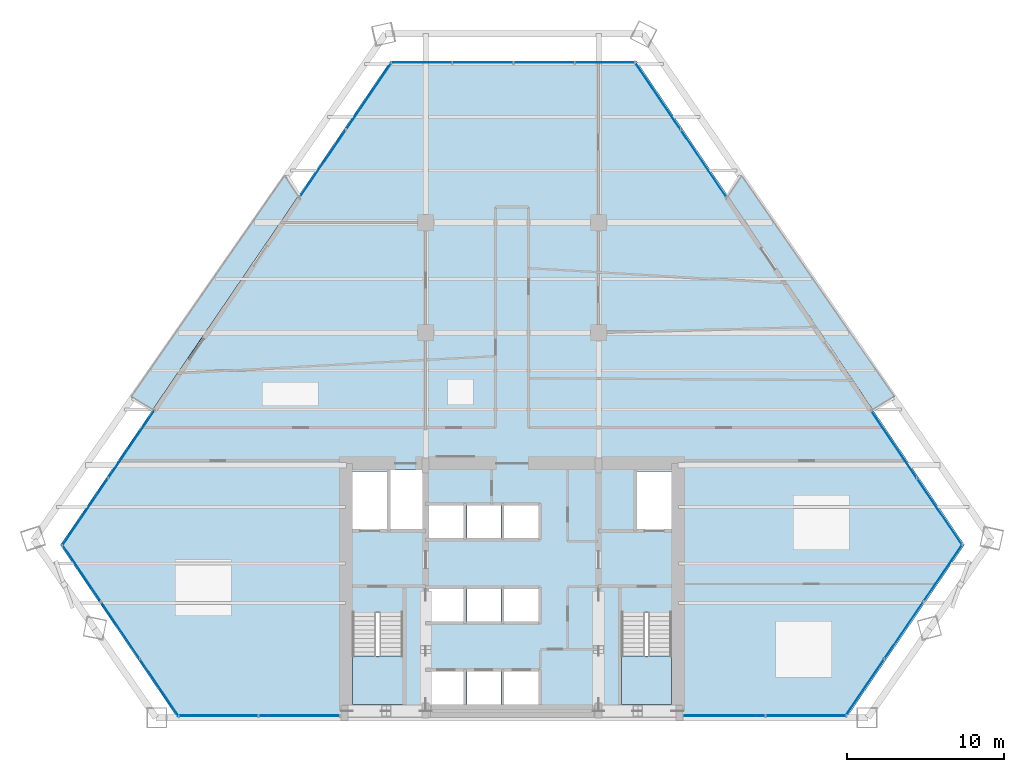
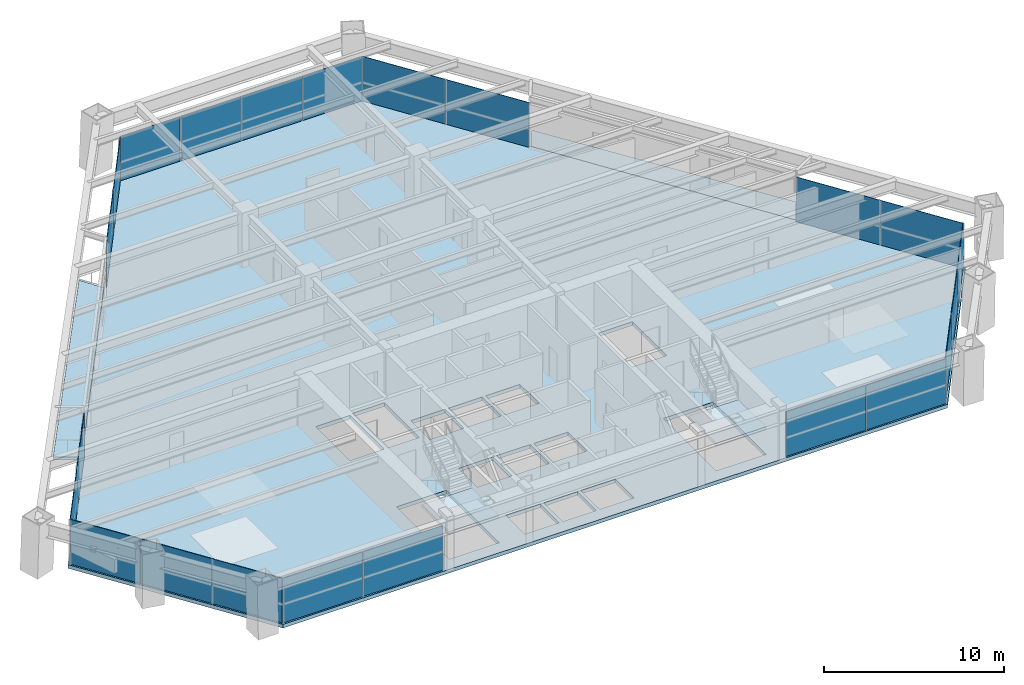
# One storey, part 9 of 14: 22 plates, 5 slabs, 11 elements without a shape of their own.
"""IFC4 building model written with IfcOpenShell, lengths in metres."""

import ifcopenshell
import ifcopenshell.guid

model = None  # the IFC model being written
_history = None  # IfcOwnerHistory: only IFC2X3 demands one
_inside = {}  # id of a spatial element -> (the spatial element, [elements in it])
_under = {}  # id of a project, library or spatial element -> (it, [spatial elements below it])
_declared = {}  # id of a project -> (the project, [libraries it declares])
_typed = {}  # id of a type object -> (the type object, [elements of that type])
_made_of = {}  # id of a material, layer set ... -> (it, [elements and type objects made of it])


def new_model(schema):
    """Start an empty IFC model of exactly this schema.

    Asked for "IFC4X3", IfcOpenShell would pick the latest addendum, in which some entities
    have other attributes; the version numbers below select the first issue.
    IFC2X3 requires an IfcOwnerHistory on every rooted entity: one is made here for all.
    """
    global model, _history
    if schema == "IFC4X3":
        model = ifcopenshell.file(schema_version=(4, 3, 0, 0))
    else:
        model = ifcopenshell.file(schema=schema)
    _inside.clear()
    _under.clear()
    _declared.clear()
    _typed.clear()
    _made_of.clear()
    _history = None
    if model.schema == "IFC2X3":
        org = make("IfcOrganization", Name="unknown")
        user = make(
            "IfcPersonAndOrganization",
            ThePerson=make("IfcPerson", FamilyName="unknown"),
            TheOrganization=org,
        )
        app = make(
            "IfcApplication",
            ApplicationDeveloper=org,
            Version="unknown",
            ApplicationFullName="unknown",
            ApplicationIdentifier="unknown",
        )
        _history = make(
            "IfcOwnerHistory",
            OwningUser=user,
            OwningApplication=app,
            ChangeAction="ADDED",
            CreationDate=0,
        )
    return model


def make(cls, **values):
    """One entity of the class cls with the attributes given. An attribute that is None is left unset."""
    return model.create_entity(
        cls, **{name: value for name, value in values.items() if value is not None}
    )


def rooted(cls, **values):
    """An entity with a GlobalId (a new one), such as an element, a storey or a relation."""
    return make(cls, GlobalId=ifcopenshell.guid.new(), OwnerHistory=_history, **values)


def si_unit(unit_type, name, prefix=None):
    """IfcSIUnit, for example si_unit("LENGTHUNIT", "METRE", prefix="MILLI")."""
    return make("IfcSIUnit", UnitType=unit_type, Prefix=prefix, Name=name)


def assignment(units):
    """IfcUnitAssignment: the units of a project."""
    return None if units is None else make("IfcUnitAssignment", Units=units)


def point(xyz):
    """IfcCartesianPoint."""
    return None if xyz is None else make("IfcCartesianPoint", Coordinates=xyz)


def direction(xyz):
    """IfcDirection."""
    return None if xyz is None else make("IfcDirection", DirectionRatios=xyz)


def frame(location, z_axis=None, x_axis=None):
    """IfcAxis2Placement3D, a coordinate frame: its origin and axes. An axis left out is left unset."""
    return make(
        "IfcAxis2Placement3D",
        Location=point(location),
        Axis=direction(z_axis),
        RefDirection=direction(x_axis),
    )


def frame_2d(location, x_axis=None):
    """IfcAxis2Placement2D, a coordinate frame in the plane: its origin and x axis."""
    return make(
        "IfcAxis2Placement2D", Location=point(location), RefDirection=direction(x_axis)
    )


def origin():
    """The frame at (0, 0, 0) with its axes left unset."""
    return frame((0.0, 0.0, 0.0))


def origin_2d():
    """The frame at (0, 0) in the plane with its x axis left unset."""
    return frame_2d((0.0, 0.0))


def place(relative_to, where):
    """IfcLocalPlacement: puts the frame where relative to a parent placement (None: the world)."""
    return make(
        "IfcLocalPlacement", PlacementRelTo=relative_to, RelativePlacement=where
    )


def context(
    kind, dimensions, precision=None, world=None, true_north=None, identifier=None
):
    """IfcGeometricRepresentationContext, for example the 3D "Model" context."""
    return make(
        "IfcGeometricRepresentationContext",
        ContextIdentifier=identifier,
        ContextType=kind,
        CoordinateSpaceDimension=dimensions,
        Precision=precision,
        WorldCoordinateSystem=world,
        TrueNorth=true_north,
    )


def subcontext(parent, identifier, kind, view, scale=None):
    """IfcGeometricRepresentationSubContext, for example "Body" below "Model"."""
    return make(
        "IfcGeometricRepresentationSubContext",
        ContextIdentifier=identifier,
        ContextType=kind,
        ParentContext=parent,
        TargetScale=scale,
        TargetView=view,
    )


def project(units=None, contexts=None):
    """IfcProject with its units and contexts."""
    return rooted(
        "IfcProject",
        Name="project",
        RepresentationContexts=contexts,
        UnitsInContext=assignment(units),
    )


def spatial(cls, under=None, at=None, **own):
    """A site, building, storey or space (cls), placed at a placement, below another one or the project."""
    s = rooted(cls, ObjectPlacement=at, **own)
    if under is not None:
        _under.setdefault(under.id(), (under, []))[1].append(s)
    return s


def polyline(points):
    """IfcPolyline through the points."""
    return make("IfcPolyline", Points=[point(p) for p in points])


def profile(cls, at=None, kind="AREA", **sizes):
    """A parametric profile (cls). Its sizes go by their IFC names, for example OverallWidth=200.0."""
    return make(cls, ProfileType=kind, Position=at, **sizes)


def rectangle(**sizes):
    """IfcRectangleProfileDef."""
    return profile("IfcRectangleProfileDef", **sizes)


def outline(outer, holes=None, kind="AREA"):
    """IfcArbitraryClosedProfileDef: a profile drawn as a closed curve; with holes, ...WithVoids."""
    if holes is None:
        return make("IfcArbitraryClosedProfileDef", ProfileType=kind, OuterCurve=outer)
    return make(
        "IfcArbitraryProfileDefWithVoids",
        ProfileType=kind,
        OuterCurve=outer,
        InnerCurves=holes,
    )


def extrude(swept, where, along, depth):
    """IfcExtrudedAreaSolid: the profile swept, set in the frame where, extruded along a direction by depth."""
    return make(
        "IfcExtrudedAreaSolid",
        SweptArea=swept,
        Position=where,
        ExtrudedDirection=direction(along),
        Depth=depth,
    )


def shape(context_of_items, identifier, shape_type, items):
    """IfcShapeRepresentation: the items that make up one representation, for example the "Body"."""
    return make(
        "IfcShapeRepresentation",
        ContextOfItems=context_of_items,
        RepresentationIdentifier=identifier,
        RepresentationType=shape_type,
        Items=items,
    )


def source(mapping_origin, context_of_items, identifier, shape_type, items):
    """IfcRepresentationMap: a shape defined once, which mapped items show again and again."""
    return make(
        "IfcRepresentationMap",
        MappingOrigin=mapping_origin,
        MappedRepresentation=shape(context_of_items, identifier, shape_type, items),
    )


def transform(
    local_origin,
    x_axis=None,
    y_axis=None,
    z_axis=None,
    scale=None,
    scale2=None,
    scale3=None,
    uniform=True,
):
    """IfcCartesianTransformationOperator3D, or its non-uniform kind. x_axis, y_axis, z_axis: its Axis1, 2, 3."""
    if uniform:
        return make(
            "IfcCartesianTransformationOperator3D",
            Axis1=direction(x_axis),
            Axis2=direction(y_axis),
            LocalOrigin=point(local_origin),
            Scale=scale,
            Axis3=direction(z_axis),
        )
    return make(
        "IfcCartesianTransformationOperator3DnonUniform",
        Axis1=direction(x_axis),
        Axis2=direction(y_axis),
        LocalOrigin=point(local_origin),
        Scale=scale,
        Axis3=direction(z_axis),
        Scale2=scale2,
        Scale3=scale3,
    )


def mapped(mapping_source, mapping_target):
    """IfcMappedItem: shows the shape of a source again, moved by a transform."""
    return make(
        "IfcMappedItem", MappingSource=mapping_source, MappingTarget=mapping_target
    )


def material(Name=None, Category=None):
    """IfcMaterial."""
    return make("IfcMaterial", Name=Name, Category=Category)


def layer(
    of_material, thickness, ventilated=None, Name=None, Category=None, Priority=None
):
    """IfcMaterialLayer: one layer of a wall or slab, of a material (None: an air gap)."""
    return make(
        "IfcMaterialLayer",
        Material=of_material,
        LayerThickness=thickness,
        IsVentilated=ventilated,
        Name=Name,
        Category=Category,
        Priority=Priority,
    )


def layer_set(layers, Name=None):
    """IfcMaterialLayerSet."""
    return make("IfcMaterialLayerSet", MaterialLayers=layers, LayerSetName=Name)


def made_of(thing, what):
    """Note that an element or type object is made of a material, layer set ...; save() writes the relation."""
    if what is not None:
        _made_of.setdefault(what.id(), (what, []))[1].append(thing)
    return thing


def type_object(cls, material=None, **own):
    """A type object (cls), such as IfcWallType, which elements share."""
    return made_of(rooted(cls, **own), material)


def element(
    cls,
    number,
    at=None,
    inside=None,
    cuts=None,
    type_object=None,
    material=None,
    context=None,
    identifier="Body",
    shape_type=None,
    held_by="IfcProductDefinitionShape",
    body=None,
    shapes=None,
    **own,
):
    """One element of the class cls, such as IfcWall. Its Tag is "e" and its number.

    at: its placement. inside: the storey or other place that contains it. cuts: it is an
    opening in that element (IfcRelVoidsElement). A single representation is given by context,
    identifier, shape_type and body (its items); several are given by shapes. held_by: the class
    of the entity that holds the representations. save() writes the other relations.
    """
    e = rooted(cls, Tag="e%d" % number, ObjectPlacement=at, **own)
    if body is not None:
        shapes = [shape(context, identifier, shape_type, body)]
    if shapes is not None:
        e.Representation = make(held_by, Representations=shapes)
    if inside is not None:
        _inside.setdefault(inside.id(), (inside, []))[1].append(e)
    if cuts is not None:
        rooted(
            "IfcRelVoidsElement", RelatingBuildingElement=cuts, RelatedOpeningElement=e
        )
    if type_object is not None:
        _typed.setdefault(type_object.id(), (type_object, []))[1].append(e)
    return made_of(e, material)


def aggregate(whole, parts):
    """IfcRelAggregates: a whole, such as a stair, and the parts it consists of."""
    return rooted("IfcRelAggregates", RelatingObject=whole, RelatedObjects=parts)


def save(model, path):
    """Write the relations noted so far, then the file.

    IfcRelAggregates (storeys below a building ...), IfcRelContainedInSpatialStructure (elements
    in a storey), IfcRelDefinesByType, IfcRelAssociatesMaterial and IfcRelDeclares: one each for
    every whole, place, type object, material and project.
    """
    for whole, parts in _under.values():
        aggregate(whole, parts)
    for where, things in _inside.values():
        rooted(
            "IfcRelContainedInSpatialStructure",
            RelatedElements=things,
            RelatingStructure=where,
        )
    for kind, things in _typed.values():
        rooted("IfcRelDefinesByType", RelatedObjects=things, RelatingType=kind)
    for what, things in _made_of.values():
        rooted("IfcRelAssociatesMaterial", RelatedObjects=things, RelatingMaterial=what)
    for by, libraries in _declared.values():
        rooted("IfcRelDeclares", RelatingContext=by, RelatedDefinitions=libraries)
    model.write(path)


model = new_model("IFC4")

# Units and contexts
model_context = context("Model", 3, precision=1e-05, world=origin(), true_north=direction((0.0, 1.0)))
body_context = subcontext(model_context, "Body", "Model", "MODEL_VIEW")
ifc_project = project(units=[si_unit("LENGTHUNIT", "METRE"), si_unit("AREAUNIT", "SQUARE_METRE"), si_unit("VOLUMEUNIT", "CUBIC_METRE"), si_unit("PLANEANGLEUNIT", "RADIAN"), si_unit("MASSUNIT", "GRAM", prefix="KILO")], contexts=[model_context])

# Site, building, storey
site_placement = place(None, origin())
site = spatial("IfcSite", under=ifc_project, at=site_placement, CompositionType="ELEMENT")
building_placement = place(site_placement, origin())
building = spatial("IfcBuilding", under=site, at=building_placement, Name="Varnakhor Terracotta Tower", CompositionType="ELEMENT")
storey_placement = place(building_placement, frame((0.0, 0.0, 34.89990234375)))
storey = spatial("IfcBuildingStorey", under=building, at=storey_placement, Name="L07", CompositionType="ELEMENT", Elevation=34.89990234375)

# Stair, slab
ifc_material_1 = material(Name="Concrete C40/50", Category="concrete")
stair_type = type_object("IfcStairType", Name="STR-CORE-OFFICE-1500", PredefinedType="HALF_TURN_STAIR", material=ifc_material_1)
stair_1_placement = place(storey_placement, origin())
stair_1 = element("IfcStair", 1, at=stair_1_placement, inside=storey, type_object=stair_type, Name="L07 Core Exit Stair ST-1", PredefinedType="HALF_TURN_STAIR")
ifc_layer_1 = layer(ifc_material_1, 0.179931640625, Name="Concrete C40/50")
ifc_layer_set_1 = layer_set([ifc_layer_1], Name="Concrete C40/50")
slab_type_1 = type_object("IfcSlabType", Name="SLB-LANDING-180", PredefinedType="LANDING", material=ifc_layer_set_1)
slab_1_placement = place(storey_placement, frame((0.0, 0.0, 1.650146484375)))
slab_1 = element("IfcSlab", 2, at=slab_1_placement, type_object=slab_type_1, Name="ST-1 landing 1", PredefinedType="LANDING", context=body_context, shape_type="SweptSolid", body=[
    extrude(outline(polyline([(-10.14990234375, 3.909912109375), (-10.14990234375, 0.85009765625), (-6.949951171875, 0.85009765625), (-6.949951171875, 3.909912109375), (-10.14990234375, 3.909912109375)])), origin(), (0.0, 0.0, 1.0), 0.199951171875),
])
aggregate(stair_1, [slab_1])

stair_2_placement = place(storey_placement, origin())
stair_2 = element("IfcStair", 3, at=stair_2_placement, inside=storey, type_object=stair_type, Name="L07 Core Exit Stair ST-2", PredefinedType="HALF_TURN_STAIR")
slab_2_placement = place(storey_placement, frame((0.0, 0.0, 1.650146484375)))
slab_2 = element("IfcSlab", 4, at=slab_2_placement, type_object=slab_type_1, Name="ST-2 landing 1", PredefinedType="LANDING", context=body_context, shape_type="SweptSolid", body=[
    extrude(outline(polyline([(6.949951171875, 3.909912109375), (6.949951171875, 0.85009765625), (10.14990234375, 0.85009765625), (10.14990234375, 3.909912109375), (6.949951171875, 3.909912109375)])), origin(), (0.0, 0.0, 1.0), 0.199951171875),
])
aggregate(stair_2, [slab_2])

# Slabs
ifc_layer_2 = layer(ifc_material_1, 0.195068359375, Name="Concrete C40/50")
ifc_layer_set_2 = layer_set([ifc_layer_2], Name="Concrete C40/50")
slab_type_2 = type_object("IfcSlabType", Name="SLB-LOGGIA-EXT-195", PredefinedType="FLOOR", material=ifc_layer_set_2)
slab_3_placement = place(storey_placement, frame((0.0, 0.0, -0.19482421875)))
element("IfcSlab", 5, at=slab_3_placement, inside=storey, type_object=slab_type_2, Name="L07 E Recessed Outdoor Loggia Slab", PredefinedType="FLOOR", context=body_context, shape_type="SweptSolid", body=[
    extrude(outline(polyline([(14.5751953125, 34.506591796875), (24.320068359375, 20.408203125), (22.929931640625, 19.61669921875), (19.443359375, 24.7607421875), (13.74462890625, 33.168212890625), (14.5751953125, 34.506591796875)])), origin(), (0.0, 0.0, 1.0), 0.19482421875),
])
slab_4_placement = place(storey_placement, frame((0.0, 0.0, -0.19482421875)))
element("IfcSlab", 6, at=slab_4_placement, inside=storey, type_object=slab_type_2, Name="L07 W Recessed Outdoor Loggia Slab", PredefinedType="FLOOR", context=body_context, shape_type="SweptSolid", body=[
    extrude(outline(polyline([(-24.24609375, 20.39794921875), (-14.44091796875, 34.50244140625), (-13.610107421875, 33.164306640625), (-22.855712890625, 19.606689453125), (-24.24609375, 20.39794921875)])), origin(), (0.0, 0.0, 1.0), 0.19482421875),
])
ifc_layer_3 = layer(ifc_material_1, 0.25, Name="Concrete C40/50")
ifc_layer_set_3 = layer_set([ifc_layer_3], Name="Concrete C40/50")
slab_type_3 = type_object("IfcSlabType", Name="SLB-OFF-250", PredefinedType="FLOOR", material=ifc_layer_set_3)
slab_5_placement = place(storey_placement, frame((0.0, 0.0, -0.25)))
element("IfcSlab", 7, at=slab_5_placement, inside=storey, type_object=slab_type_3, Name="L07 Structural Floor Slab", PredefinedType="FLOOR", context=body_context, shape_type="SweptSolid", body=[
    extrude(outline(polyline([(-28.739013671875, 10.979248046875), (-7.726806640625, 41.791748046875), (7.8994140625, 41.791748046875), (28.775390625, 10.992919921875), (21.27880859375, 0.0), (-21.297119140625, 0.0), (-28.739013671875, 10.979248046875)]), holes=[polyline([(-3.10009765625, 0.85009765625), (-3.10009765625, 2.949951171875), (-5.300048828125, 2.949951171875), (-5.300048828125, 0.85009765625), (-3.10009765625, 0.85009765625)]), polyline([(-2.8798828125, 0.85009765625), (-0.719970703125, 0.85009765625), (-0.719970703125, 2.949951171875), (-2.8798828125, 2.949951171875), (-2.8798828125, 0.85009765625)]), polyline([(-10.14990234375, 0.85009765625), (-6.949951171875, 0.85009765625), (-6.949951171875, 6.695068359375), (-10.14990234375, 6.695068359375), (-10.14990234375, 0.85009765625)]), polyline([(-5.300048828125, 6.10009765625), (-3.10009765625, 6.10009765625), (-3.10009765625, 8.199951171875), (-5.300048828125, 8.199951171875), (-5.300048828125, 6.10009765625)]), polyline([(-5.300048828125, 11.419921875), (-3.10009765625, 11.419921875), (-3.10009765625, 13.52001953125), (-5.300048828125, 13.52001953125), (-5.300048828125, 11.419921875)]), polyline([(-10.14990234375, 11.8798828125), (-7.949951171875, 11.8798828125), (-7.949951171875, 15.64990234375), (-10.14990234375, 15.64990234375), (-10.14990234375, 11.8798828125)]), polyline([(-7.72998046875, 11.8798828125), (-5.699951171875, 11.8798828125), (-5.699951171875, 15.75), (-7.72998046875, 15.75), (-7.72998046875, 11.8798828125)]), polyline([(1.699951171875, 0.85009765625), (1.699951171875, 2.949951171875), (-0.5, 2.949951171875), (-0.5, 0.85009765625), (1.699951171875, 0.85009765625)]), polyline([(6.949951171875, 0.85009765625), (10.14990234375, 0.85009765625), (10.14990234375, 6.695068359375), (6.949951171875, 6.695068359375), (6.949951171875, 0.85009765625)]), polyline([(-2.8798828125, 6.10009765625), (-0.719970703125, 6.10009765625), (-0.719970703125, 8.199951171875), (-2.8798828125, 8.199951171875), (-2.8798828125, 6.10009765625)]), polyline([(-0.5, 6.10009765625), (1.699951171875, 6.10009765625), (1.699951171875, 8.199951171875), (-0.5, 8.199951171875), (-0.5, 6.10009765625)]), polyline([(-2.8798828125, 11.419921875), (-0.719970703125, 11.419921875), (-0.719970703125, 13.52001953125), (-2.8798828125, 13.52001953125), (-2.8798828125, 11.419921875)]), polyline([(-0.5, 11.419921875), (1.699951171875, 11.419921875), (1.699951171875, 13.52001953125), (-0.5, 13.52001953125), (-0.5, 11.419921875)]), polyline([(7.949951171875, 11.8798828125), (10.14990234375, 11.8798828125), (10.14990234375, 15.64990234375), (7.949951171875, 15.64990234375), (7.949951171875, 11.8798828125)])]), origin(), (0.0, 0.0, 1.0), 0.25),
])

# Curtain wall, plate
ifc_material_2 = material(Name="Anodised Aluminium Curtain Wall System", Category="aluminium")
curtain_wall_type = type_object("IfcCurtainWallType", Name="CW-SYS-LOW-OFFICE", PredefinedType="NOTDEFINED", material=ifc_material_2)
curtain_wall_1_placement = place(storey_placement, origin())
curtain_wall_1 = element("IfcCurtainWall", 8, at=curtain_wall_1_placement, inside=storey, type_object=curtain_wall_type, Name="L07 South Wing Curtain Wall SSW", PredefinedType="NOTDEFINED")
ifc_material_3 = material(Name="Solar-Control Low-E Insulated Glass Panel", Category="glass")
ifc_layer_4 = layer(ifc_material_3, 0.0380859375, Name="Solar-Control Low-E Insulated Glass Panel")
ifc_layer_set_4 = layer_set([ifc_layer_4], Name="Solar-Control Low-E Insulated Glass Panel")
plate_type = type_object("IfcPlateType", Name="CWP-02", PredefinedType="CURTAIN_PANEL", material=ifc_layer_set_4)
shared_shape_1 = source(origin(), body_context, "Body", "SweptSolid", [
    extrude(rectangle(XDim=5.11865234375, YDim=0.035888671875, at=origin_2d()), origin(), (0.0, 0.0, 1.0), 3.030029296875),
])
plate_1_placement = place(storey_placement, frame((-13.54931640625, 0.1201171875, 0.0), z_axis=(0.0, 0.0, 1.0), x_axis=(-1.0, 0.0, 0.0)))
plate_1 = element("IfcPlate", 9, at=plate_1_placement, type_object=plate_type, Name="L07 South Wing Curtain Wall SSW Glazed Panel 1", PredefinedType="CURTAIN_PANEL", context=body_context, shape_type="MappedRepresentation", body=[
    mapped(shared_shape_1, transform((0.0, 0.0, 0.0), scale=1.0)),
])

# Curtain wall, plates
curtain_wall_2_placement = place(storey_placement, origin())
curtain_wall_2 = element("IfcCurtainWall", 10, at=curtain_wall_2_placement, inside=storey, type_object=curtain_wall_type, Name="L07 W Facet Curtain Wall 1", PredefinedType="NOTDEFINED")
shared_shape_2 = source(origin(), body_context, "Body", "SweptSolid", [
    extrude(rectangle(XDim=5.1513671875, YDim=0.035888671875, at=origin_2d()), origin(), (0.0, 0.0, 1.0), 3.030029296875),
])
plate_2_placement = place(storey_placement, frame((-27.16064453125, 13.0810546875, 0.0), z_axis=(0.0, 0.0, 1.0), x_axis=(0.563410698363, 0.826176969523, 0.0)))
plate_2 = element("IfcPlate", 11, at=plate_2_placement, type_object=plate_type, Name="L07 W Facet Curtain Wall 1 Glazed Panel 1", PredefinedType="CURTAIN_PANEL", context=body_context, shape_type="MappedRepresentation", body=[
    mapped(shared_shape_2, transform((0.0, 0.0, 0.0), scale=1.0)),
])
plate_3_placement = place(storey_placement, frame((-24.23583984375, 17.369873046875, 0.0), z_axis=(0.0, 0.0, 1.0), x_axis=(0.563410698363, 0.826176969523, 0.0)))
plate_3 = element("IfcPlate", 12, at=plate_3_placement, type_object=plate_type, Name="L07 W Facet Curtain Wall 1 Glazed Panel 2", PredefinedType="CURTAIN_PANEL", context=body_context, shape_type="MappedRepresentation", body=[
    mapped(shared_shape_2, transform((0.0, 0.0, 0.0), scale=1.0)),
])
aggregate(curtain_wall_2, [plate_2, plate_3])

curtain_wall_3_placement = place(storey_placement, origin())
curtain_wall_3 = element("IfcCurtainWall", 13, at=curtain_wall_3_placement, inside=storey, type_object=curtain_wall_type, Name="L07 W Facet Curtain Wall 2", PredefinedType="NOTDEFINED")
plate_4_placement = place(storey_placement, frame((-12.03173828125, 35.26611328125, 0.0), z_axis=(0.0, 0.0, 1.0), x_axis=(0.563410698363, 0.826176969523, 0.0)))
plate_4 = element("IfcPlate", 14, at=plate_4_placement, type_object=plate_type, Name="L07 W Facet Curtain Wall 2 Glazed Panel 1", PredefinedType="CURTAIN_PANEL", context=body_context, shape_type="MappedRepresentation", body=[
    mapped(shared_shape_2, transform((0.0, 0.0, 0.0), scale=1.0)),
])
plate_5_placement = place(storey_placement, frame((-9.10693359375, 39.554931640625, 0.0), z_axis=(0.0, 0.0, 1.0), x_axis=(0.563410698363, 0.826176969523, 0.0)))
plate_5 = element("IfcPlate", 15, at=plate_5_placement, type_object=plate_type, Name="L07 W Facet Curtain Wall 2 Glazed Panel 2", PredefinedType="CURTAIN_PANEL", context=body_context, shape_type="MappedRepresentation", body=[
    mapped(shared_shape_2, transform((0.0, 0.0, 0.0), scale=1.0)),
])
aggregate(curtain_wall_3, [plate_4, plate_5])

curtain_wall_4_placement = place(storey_placement, origin())
curtain_wall_4 = element("IfcCurtainWall", 16, at=curtain_wall_4_placement, inside=storey, type_object=curtain_wall_type, Name="L07 Facet Curtain Wall 2", PredefinedType="NOTDEFINED")
shared_shape_3 = source(origin(), body_context, "Body", "SweptSolid", [
    extrude(rectangle(XDim=3.8515625, YDim=0.035888671875, at=origin_2d()), origin(), (0.0, 0.0, 1.0), 3.030029296875),
])
plate_6_placement = place(storey_placement, frame((-5.7509765625, 41.671875, 0.0), z_axis=(0.0, 0.0, 1.0), x_axis=(1.0, 0.0, 0.0)))
plate_6 = element("IfcPlate", 17, at=plate_6_placement, type_object=plate_type, Name="L07 Facet Curtain Wall 2 Glazed Panel 1", PredefinedType="CURTAIN_PANEL", context=body_context, shape_type="MappedRepresentation", body=[
    mapped(shared_shape_3, transform((0.0, 0.0, 0.0), scale=1.0)),
])
plate_7_placement = place(storey_placement, frame((-1.859619140625, 41.671875, 0.0), z_axis=(0.0, 0.0, 1.0), x_axis=(1.0, 0.0, 0.0)))
plate_7 = element("IfcPlate", 18, at=plate_7_placement, type_object=plate_type, Name="L07 Facet Curtain Wall 2 Glazed Panel 2", PredefinedType="CURTAIN_PANEL", context=body_context, shape_type="MappedRepresentation", body=[
    mapped(shared_shape_3, transform((0.0, 0.0, 0.0), scale=1.0)),
])
plate_8_placement = place(storey_placement, frame((2.031982421875, 41.671875, 0.0), z_axis=(0.0, 0.0, 1.0), x_axis=(1.0, 0.0, 0.0)))
plate_8 = element("IfcPlate", 19, at=plate_8_placement, type_object=plate_type, Name="L07 Facet Curtain Wall 2 Glazed Panel 3", PredefinedType="CURTAIN_PANEL", context=body_context, shape_type="MappedRepresentation", body=[
    mapped(shared_shape_3, transform((0.0, 0.0, 0.0), scale=1.0)),
])
plate_9_placement = place(storey_placement, frame((5.923583984375, 41.671875, 0.0), z_axis=(0.0, 0.0, 1.0), x_axis=(1.0, 0.0, 0.0)))
plate_9 = element("IfcPlate", 20, at=plate_9_placement, type_object=plate_type, Name="L07 Facet Curtain Wall 2 Glazed Panel 4", PredefinedType="CURTAIN_PANEL", context=body_context, shape_type="MappedRepresentation", body=[
    mapped(shared_shape_3, transform((0.0, 0.0, 0.0), scale=1.0)),
])
aggregate(curtain_wall_4, [plate_6, plate_7, plate_8, plate_9])

curtain_wall_5_placement = place(storey_placement, origin())
curtain_wall_5 = element("IfcCurtainWall", 21, at=curtain_wall_5_placement, inside=storey, type_object=curtain_wall_type, Name="L07 E Facet Curtain Wall 1", PredefinedType="NOTDEFINED")
shared_shape_4 = source(origin(), body_context, "Body", "SweptSolid", [
    extrude(rectangle(XDim=5.138916015625, YDim=0.035888671875, at=origin_2d()), origin(), (0.0, 0.0, 1.0), 3.030029296875),
])
plate_10_placement = place(storey_placement, frame((9.269775390625, 39.55615234375, 0.0), z_axis=(0.0, 0.0, 1.0), x_axis=(0.56107248907, -0.827766671236, 0.0)))
plate_10 = element("IfcPlate", 22, at=plate_10_placement, type_object=plate_type, Name="L07 E Facet Curtain Wall 1 Glazed Panel 1", PredefinedType="CURTAIN_PANEL", context=body_context, shape_type="MappedRepresentation", body=[
    mapped(shared_shape_4, transform((0.0, 0.0, 0.0), scale=1.0)),
])
plate_11_placement = place(storey_placement, frame((12.175537109375, 35.26904296875, 0.0), z_axis=(0.0, 0.0, 1.0), x_axis=(0.56107248907, -0.827766671236, 0.0)))
plate_11 = element("IfcPlate", 23, at=plate_11_placement, type_object=plate_type, Name="L07 E Facet Curtain Wall 1 Glazed Panel 2", PredefinedType="CURTAIN_PANEL", context=body_context, shape_type="MappedRepresentation", body=[
    mapped(shared_shape_4, transform((0.0, 0.0, 0.0), scale=1.0)),
])
aggregate(curtain_wall_5, [plate_10, plate_11])

curtain_wall_6_placement = place(storey_placement, origin())
curtain_wall_6 = element("IfcCurtainWall", 24, at=curtain_wall_6_placement, inside=storey, type_object=curtain_wall_type, Name="L07 E Facet Curtain Wall 2", PredefinedType="NOTDEFINED")
plate_12_placement = place(storey_placement, frame((24.30029296875, 17.380859375, 0.0), z_axis=(0.0, 0.0, 1.0), x_axis=(0.56107248907, -0.827766671236, 0.0)))
plate_12 = element("IfcPlate", 25, at=plate_12_placement, type_object=plate_type, Name="L07 E Facet Curtain Wall 2 Glazed Panel 1", PredefinedType="CURTAIN_PANEL", context=body_context, shape_type="MappedRepresentation", body=[
    mapped(shared_shape_4, transform((0.0, 0.0, 0.0), scale=1.0)),
])
plate_13_placement = place(storey_placement, frame((27.206298828125, 13.093994140625, 0.0), z_axis=(0.0, 0.0, 1.0), x_axis=(0.56107248907, -0.827766671236, 0.0)))
plate_13 = element("IfcPlate", 26, at=plate_13_placement, type_object=plate_type, Name="L07 E Facet Curtain Wall 2 Glazed Panel 2", PredefinedType="CURTAIN_PANEL", context=body_context, shape_type="MappedRepresentation", body=[
    mapped(shared_shape_4, transform((0.0, 0.0, 0.0), scale=1.0)),
])
aggregate(curtain_wall_6, [plate_12, plate_13])

curtain_wall_7_placement = place(storey_placement, origin())
curtain_wall_7 = element("IfcCurtainWall", 27, at=curtain_wall_7_placement, inside=storey, type_object=curtain_wall_type, Name="L07 Facet Curtain Wall 4", PredefinedType="NOTDEFINED")
shared_shape_5 = source(origin(), body_context, "Body", "SweptSolid", [
    extrude(rectangle(XDim=4.375244140625, YDim=0.035888671875, at=origin_2d()), origin(), (0.0, 0.0, 1.0), 3.030029296875),
])
plate_14_placement = place(storey_placement, frame((27.41552734375, 9.2119140625, 0.0), z_axis=(0.0, 0.0, 1.0), x_axis=(-0.563410698363, -0.826176969523, 0.0)))
plate_14 = element("IfcPlate", 28, at=plate_14_placement, type_object=plate_type, Name="L07 Facet Curtain Wall 4 Glazed Panel 1", PredefinedType="CURTAIN_PANEL", context=body_context, shape_type="MappedRepresentation", body=[
    mapped(shared_shape_5, transform((0.0, 0.0, 0.0), scale=1.0)),
])
plate_15_placement = place(storey_placement, frame((24.927978515625, 5.56396484375, 0.0), z_axis=(0.0, 0.0, 1.0), x_axis=(-0.563410698363, -0.826176969523, 0.0)))
plate_15 = element("IfcPlate", 29, at=plate_15_placement, type_object=plate_type, Name="L07 Facet Curtain Wall 4 Glazed Panel 2", PredefinedType="CURTAIN_PANEL", context=body_context, shape_type="MappedRepresentation", body=[
    mapped(shared_shape_5, transform((0.0, 0.0, 0.0), scale=1.0)),
])
plate_16_placement = place(storey_placement, frame((22.440185546875, 1.916259765625, 0.0), z_axis=(0.0, 0.0, 1.0), x_axis=(-0.563410698363, -0.826176969523, 0.0)))
plate_16 = element("IfcPlate", 30, at=plate_16_placement, type_object=plate_type, Name="L07 Facet Curtain Wall 4 Glazed Panel 3", PredefinedType="CURTAIN_PANEL", context=body_context, shape_type="MappedRepresentation", body=[
    mapped(shared_shape_5, transform((0.0, 0.0, 0.0), scale=1.0)),
])
aggregate(curtain_wall_7, [plate_14, plate_15, plate_16])

curtain_wall_8_placement = place(storey_placement, origin())
curtain_wall_8 = element("IfcCurtainWall", 31, at=curtain_wall_8_placement, inside=storey, type_object=curtain_wall_type, Name="L07 South Wing Curtain Wall SSE", PredefinedType="NOTDEFINED")
shared_shape_6 = source(origin(), body_context, "Body", "SweptSolid", [
    extrude(rectangle(XDim=5.109375, YDim=0.035888671875, at=origin_2d()), origin(), (0.0, 0.0, 1.0), 3.030029296875),
])
plate_17_placement = place(storey_placement, frame((18.694091796875, 0.1201171875, 0.0), z_axis=(0.0, 0.0, 1.0), x_axis=(-1.0, 0.0, 0.0)))
plate_17 = element("IfcPlate", 32, at=plate_17_placement, type_object=plate_type, Name="L07 South Wing Curtain Wall SSE Glazed Panel 1", PredefinedType="CURTAIN_PANEL", context=body_context, shape_type="MappedRepresentation", body=[
    mapped(shared_shape_6, transform((0.0, 0.0, 0.0), scale=1.0)),
])
plate_18_placement = place(storey_placement, frame((13.544677734375, 0.1201171875, 0.0), z_axis=(0.0, 0.0, 1.0), x_axis=(-1.0, 0.0, 0.0)))
plate_18 = element("IfcPlate", 33, at=plate_18_placement, type_object=plate_type, Name="L07 South Wing Curtain Wall SSE Glazed Panel 2", PredefinedType="CURTAIN_PANEL", context=body_context, shape_type="MappedRepresentation", body=[
    mapped(shared_shape_6, transform((0.0, 0.0, 0.0), scale=1.0)),
])
aggregate(curtain_wall_8, [plate_17, plate_18])

# Plate
shared_shape_7 = source(origin(), body_context, "Body", "SweptSolid", [
    extrude(rectangle(XDim=5.118408203125, YDim=0.035888671875, at=origin_2d()), origin(), (0.0, 0.0, 1.0), 3.030029296875),
])
plate_19_placement = place(storey_placement, frame((-18.7080078125, 0.1201171875, 0.0), z_axis=(0.0, 0.0, 1.0), x_axis=(-1.0, 0.0, 0.0)))
plate_19 = element("IfcPlate", 34, at=plate_19_placement, type_object=plate_type, Name="L07 South Wing Curtain Wall SSW Glazed Panel 2", PredefinedType="CURTAIN_PANEL", context=body_context, shape_type="MappedRepresentation", body=[
    mapped(shared_shape_7, transform((0.0, 0.0, 0.0), scale=1.0)),
])

aggregate(curtain_wall_1, [plate_1, plate_19])

# Curtain wall, plates
curtain_wall_9_placement = place(storey_placement, origin())
curtain_wall_9 = element("IfcCurtainWall", 35, at=curtain_wall_9_placement, inside=storey, type_object=curtain_wall_type, Name="L07 Facet Curtain Wall 6", PredefinedType="NOTDEFINED")
shared_shape_8 = source(origin(), body_context, "Body", "SweptSolid", [
    extrude(rectangle(XDim=4.361083984375, YDim=0.035888671875, at=origin_2d()), origin(), (0.0, 0.0, 1.0), 3.030029296875),
])
plate_20_placement = place(storey_placement, frame((-22.44921875, 1.913818359375, 0.0), z_axis=(0.0, 0.0, 1.0), x_axis=(-0.56107248907, 0.827766671236, 0.0)))
plate_20 = element("IfcPlate", 36, at=plate_20_placement, type_object=plate_type, Name="L07 Facet Curtain Wall 6 Glazed Panel 1", PredefinedType="CURTAIN_PANEL", context=body_context, shape_type="MappedRepresentation", body=[
    mapped(shared_shape_8, transform((0.0, 0.0, 0.0), scale=1.0)),
])
plate_21_placement = place(storey_placement, frame((-27.38818359375, 9.2001953125, 0.0), z_axis=(0.0, 0.0, 1.0), x_axis=(-0.56107248907, 0.827766671236, 0.0)))
plate_21 = element("IfcPlate", 37, at=plate_21_placement, type_object=plate_type, Name="L07 Facet Curtain Wall 6 Glazed Panel 3", PredefinedType="CURTAIN_PANEL", context=body_context, shape_type="MappedRepresentation", body=[
    mapped(shared_shape_8, transform((0.0, 0.0, 0.0), scale=1.0)),
])
shared_shape_9 = source(origin(), body_context, "Body", "SweptSolid", [
    extrude(rectangle(XDim=4.361328125, YDim=0.035888671875, at=origin_2d()), origin(), (0.0, 0.0, 1.0), 3.030029296875),
])
plate_22_placement = place(storey_placement, frame((-24.918701171875, 5.556884765625, 0.0), z_axis=(0.0, 0.0, 1.0), x_axis=(-0.56107248907, 0.827766671236, 0.0)))
plate_22 = element("IfcPlate", 38, at=plate_22_placement, type_object=plate_type, Name="L07 Facet Curtain Wall 6 Glazed Panel 2", PredefinedType="CURTAIN_PANEL", context=body_context, shape_type="MappedRepresentation", body=[
    mapped(shared_shape_9, transform((0.0, 0.0, 0.0), scale=1.0)),
])
aggregate(curtain_wall_9, [plate_20, plate_22, plate_21])

save(model, "model.ifc")
